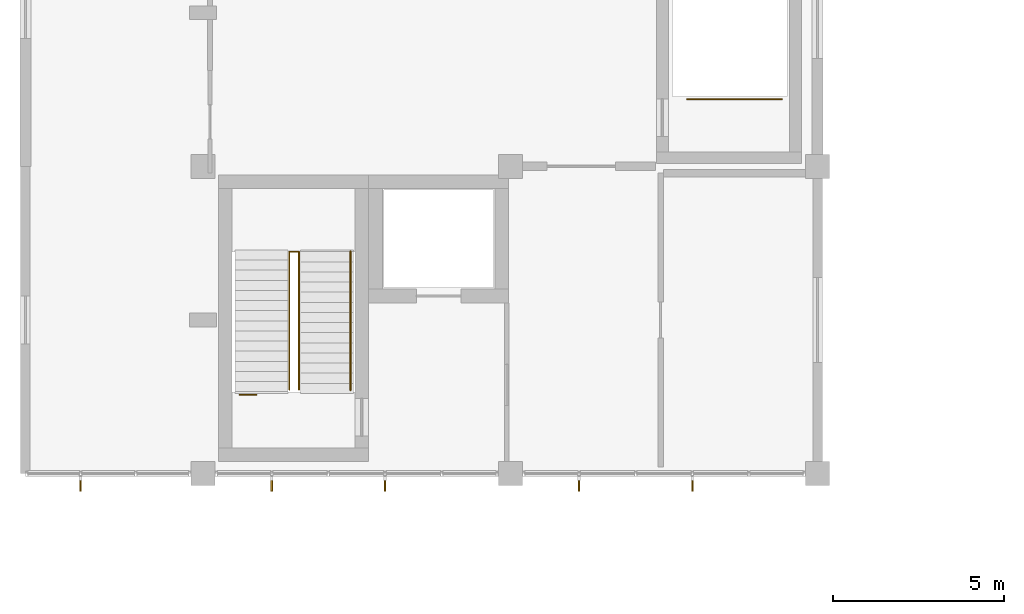
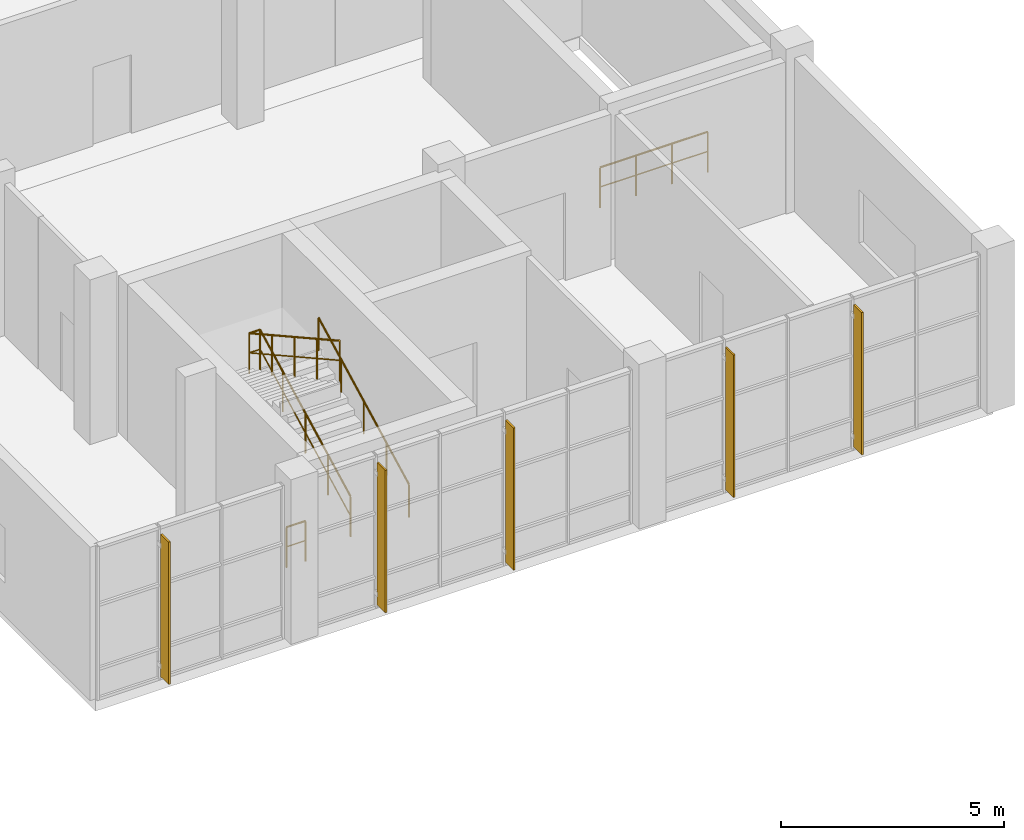
# One storey, part 28 of 29: 5 shading devices, 4 railings.
"""IFC4 building model written with IfcOpenShell, lengths in metres."""

from ifc_helpers import new_model, si_unit, direction, frame, origin, origin_2d, place, context, subcontext, project, spatial, rectangle, circle, extrude, material, type_object, element, save


model = new_model("IFC4")

# Units and contexts
model_context = context("Model", 3, precision=1e-05, world=origin(), true_north=direction((0.0, 1.0)))
body_context = subcontext(model_context, "Body", "Model", "MODEL_VIEW")
ifc_project = project(units=[si_unit("LENGTHUNIT", "METRE"), si_unit("AREAUNIT", "SQUARE_METRE"), si_unit("VOLUMEUNIT", "CUBIC_METRE"), si_unit("PLANEANGLEUNIT", "RADIAN"), si_unit("MASSUNIT", "GRAM", prefix="KILO")], contexts=[model_context])

# Site, building, storey
site_placement = place(None, origin())
site = spatial("IfcSite", under=ifc_project, at=site_placement, CompositionType="ELEMENT")
building_placement = place(site_placement, origin())
building = spatial("IfcBuilding", under=site, at=building_placement, Name="Ventoquebrada Cableway Terminal", CompositionType="ELEMENT")
storey_placement = place(building_placement, frame((0.0, 0.0, 18.89990234375)))
storey = spatial("IfcBuildingStorey", under=building, at=storey_placement, Name="L04", CompositionType="ELEMENT", Elevation=18.89990234375)

# Railings
ifc_material_1 = material(Name="Brushed stainless steel Grade 316", Category="steel")
railing_type_1 = type_object("IfcRailingType", Name="RL-GD01", PredefinedType="GUARDRAIL", material=ifc_material_1)
railing_1_placement = place(storey_placement, frame((11.010009765625, 79.449951171875, 0.150146484375)))
element("IfcRailing", 1, at=railing_1_placement, inside=storey, type_object=railing_type_1, Name="Stair well guardrail GR-S19", PredefinedType="GUARDRAIL", context=body_context, shape_type="SweptSolid", body=[
    extrude(circle(Radius=0.02392578125, at=origin_2d()), frame((0.0, 0.001708984375, 1.096923828125), z_axis=(0.0, 0.887769920297, 0.460287484748), x_axis=(-1.0, 0.0, 0.0)), (0.0, 0.0, 1.0), 4.55810546875),
    extrude(circle(Radius=0.01611328125, at=origin_2d()), frame((0.0, 0.001708984375, 0.56103515625), z_axis=(0.0, 0.887769920297, 0.460287484748), x_axis=(-1.0, 0.0, 0.0)), (0.0, 0.0, 1.0), 4.55810546875),
    extrude(circle(Radius=0.02392578125, at=origin_2d()), frame((-0.001953125, 4.050048828125, 3.19580078125), z_axis=(-1.0, 0.0, 0.0), x_axis=(0.0, -1.0, 0.0)), (0.0, 0.0, 1.0), 0.276123046875),
    extrude(circle(Radius=0.01611328125, at=origin_2d()), frame((-0.001953125, 4.050048828125, 2.659912109375), z_axis=(-1.0, 0.0, 0.0), x_axis=(0.0, -1.0, 0.0)), (0.0, 0.0, 1.0), 0.276123046875),
    extrude(circle(Radius=0.02392578125, at=origin_2d()), frame((-0.280029296875, 4.04833984375, 3.19677734375), z_axis=(0.0, -0.87415976173, 0.485638457056), x_axis=(1.0, 0.0, 0.0)), (0.0, 0.0, 1.0), 4.629150390625),
    extrude(circle(Radius=0.01611328125, at=origin_2d()), frame((-0.280029296875, 4.04833984375, 2.660888671875), z_axis=(0.0, -0.87415976173, 0.485638457056), x_axis=(1.0, 0.0, 0.0)), (0.0, 0.0, 1.0), 4.629150390625),
    extrude(circle(Radius=0.02099609375, at=origin_2d()), origin(), (0.0, 0.0, 1.0), 1.072021484375),
    extrude(circle(Radius=0.02099609375, at=origin_2d()), frame((0.0, 1.012451171875, 0.52490234375)), (0.0, 0.0, 1.0), 1.072021484375),
    extrude(circle(Radius=0.02099609375, at=origin_2d()), frame((0.0, 2.02490234375, 1.0498046875)), (0.0, 0.0, 1.0), 1.072021484375),
    extrude(circle(Radius=0.02099609375, at=origin_2d()), frame((0.0, 3.03759765625, 1.574951171875)), (0.0, 0.0, 1.0), 1.072021484375),
    extrude(circle(Radius=0.02099609375, at=origin_2d()), frame((0.0, 4.050048828125, 2.099853515625)), (0.0, 0.0, 1.0), 1.072021484375),
    extrude(circle(Radius=0.02099609375, at=origin_2d()), frame((-0.280029296875, 4.050048828125, 2.099853515625)), (0.0, 0.0, 1.0), 1.072021484375),
    extrude(circle(Radius=0.02099609375, at=origin_2d()), frame((-0.280029296875, 3.03759765625, 2.662353515625)), (0.0, 0.0, 1.0), 1.072021484375),
    extrude(circle(Radius=0.02099609375, at=origin_2d()), frame((-0.280029296875, 2.02490234375, 3.224853515625)), (0.0, 0.0, 1.0), 1.072021484375),
    extrude(circle(Radius=0.02099609375, at=origin_2d()), frame((-0.280029296875, 1.012451171875, 3.787353515625)), (0.0, 0.0, 1.0), 1.072021484375),
    extrude(circle(Radius=0.02099609375, at=origin_2d()), frame((-0.280029296875, 0.0, 4.349853515625)), (0.0, 0.0, 1.0), 1.072021484375),
])
railing_2_placement = place(storey_placement, frame((22.3720703125, 87.9599609375, 0.0)))
element("IfcRailing", 2, at=railing_2_placement, inside=storey, type_object=railing_type_1, Name="Open-edge guardrail GR-E140", PredefinedType="GUARDRAIL", context=body_context, shape_type="SweptSolid", body=[
    extrude(circle(Radius=0.02392578125, at=origin_2d()), frame((0.001953125, 0.0, 1.09619140625), z_axis=(1.0, 0.0, 0.0), x_axis=(0.0, 1.0, 0.0)), (0.0, 0.0, 1.0), 2.779052734375),
    extrude(circle(Radius=0.01611328125, at=origin_2d()), frame((0.001953125, 0.0, 0.56005859375), z_axis=(1.0, 0.0, 0.0), x_axis=(0.0, 1.0, 0.0)), (0.0, 0.0, 1.0), 2.779052734375),
    extrude(circle(Radius=0.02099609375, at=origin_2d()), origin(), (0.0, 0.0, 1.0), 1.072021484375),
    extrude(circle(Radius=0.02099609375, at=origin_2d()), frame((0.927734375, 0.0, 0.0)), (0.0, 0.0, 1.0), 1.072021484375),
    extrude(circle(Radius=0.02099609375, at=origin_2d()), frame((1.855224609375, 0.0, 0.0)), (0.0, 0.0, 1.0), 1.072021484375),
    extrude(circle(Radius=0.02099609375, at=origin_2d()), frame((2.782958984375, 0.0, 0.0)), (0.0, 0.0, 1.0), 1.072021484375),
])
railing_3_placement = place(storey_placement, frame((9.27001953125, 79.31005859375, 0.0)))
element("IfcRailing", 3, at=railing_3_placement, inside=storey, type_object=railing_type_1, Name="Open-edge guardrail GR-E141", PredefinedType="GUARDRAIL", context=body_context, shape_type="SweptSolid", body=[
    extrude(circle(Radius=0.02392578125, at=origin_2d()), frame((0.001953125, 0.0, 1.09619140625), z_axis=(1.0, 0.0, 0.0), x_axis=(0.0, 1.0, 0.0)), (0.0, 0.0, 1.0), 0.490966796875),
    extrude(circle(Radius=0.01611328125, at=origin_2d()), frame((0.001953125, 0.0, 0.56005859375), z_axis=(1.0, 0.0, 0.0), x_axis=(0.0, 1.0, 0.0)), (0.0, 0.0, 1.0), 0.490966796875),
    extrude(circle(Radius=0.02099609375, at=origin_2d()), origin(), (0.0, 0.0, 1.0), 1.072021484375),
    extrude(circle(Radius=0.02099609375, at=origin_2d()), frame((0.494873046875, 0.0, 0.0)), (0.0, 0.0, 1.0), 1.072021484375),
])
railing_type_2 = type_object("IfcRailingType", Name="RL-HR01", PredefinedType="HANDRAIL", material=ifc_material_1)
railing_4_placement = place(storey_placement, frame((12.52001953125, 79.449951171875, 0.150146484375)))
element("IfcRailing", 4, at=railing_4_placement, inside=storey, type_object=railing_type_2, Name="Stair wall handrail HR-S19", PredefinedType="HANDRAIL", context=body_context, shape_type="SweptSolid", body=[
    extrude(circle(Radius=0.02392578125, at=origin_2d()), frame((0.0, 0.001708984375, 0.896728515625), z_axis=(0.0, 0.887769920297, 0.460287484748), x_axis=(-1.0, 0.0, 0.0)), (0.0, 0.0, 1.0), 4.55810546875),
    extrude(circle(Radius=0.02099609375, at=origin_2d()), origin(), (0.0, 0.0, 1.0), 0.871826171875),
    extrude(circle(Radius=0.02099609375, at=origin_2d()), frame((0.0, 1.012451171875, 0.52490234375)), (0.0, 0.0, 1.0), 0.871826171875),
    extrude(circle(Radius=0.02099609375, at=origin_2d()), frame((0.0, 2.02490234375, 1.0498046875)), (0.0, 0.0, 1.0), 0.871826171875),
    extrude(circle(Radius=0.02099609375, at=origin_2d()), frame((0.0, 3.03759765625, 1.574951171875)), (0.0, 0.0, 1.0), 0.871826171875),
    extrude(circle(Radius=0.02099609375, at=origin_2d()), frame((0.0, 4.050048828125, 2.099853515625)), (0.0, 0.0, 1.0), 0.871826171875),
])

# Shading devices
ifc_material_2 = material(Name="Anodized thermally-broken aluminium", Category="aluminium")
shading_device_type = type_object("IfcShadingDeviceType", Name="SHD-AW1", PredefinedType="AWNING", material=ifc_material_2)
for number, where, z_axis, x_axis, name in (
    (5, (4.614990234375, 76.659912109375, 0.150390625), (0.0, 0.0, 1.0), (1.0, 0.0, 0.0), "Extruded aluminium sunshade fin FN-039"),
    (6, (10.212890625, 76.659912109375, 0.150390625), (0.0, 0.0, 1.0), (1.0, 0.0, 0.0), "Extruded aluminium sunshade fin FN-040"),
    (7, (13.529052734375, 76.659912109375, 0.150390625), (0.0, 0.0, 1.0), (1.0, 0.0, 0.0), "Extruded aluminium sunshade fin FN-041"),
    (8, (19.212890625, 76.659912109375, 0.150390625), (0.0, 0.0, 1.0), (1.0, 0.0, 0.0), "Extruded aluminium sunshade fin FN-042"),
    (9, (22.529052734375, 76.659912109375, 0.150390625), (0.0, 0.0, 1.0), (1.0, 0.0, 0.0), "Extruded aluminium sunshade fin FN-043"),
):
    element("IfcShadingDevice", number, at=place(storey_placement, frame(where, z_axis=z_axis, x_axis=x_axis)), inside=storey, type_object=shading_device_type, Name=name, PredefinedType="AWNING", context=body_context, shape_type="SweptSolid", body=[
        extrude(rectangle(XDim=0.044921875, YDim=0.360107421875, at=origin_2d()), origin(), (0.0, 0.0, 1.0), 3.889892578125),
    ])

save(model, "model.ifc")
